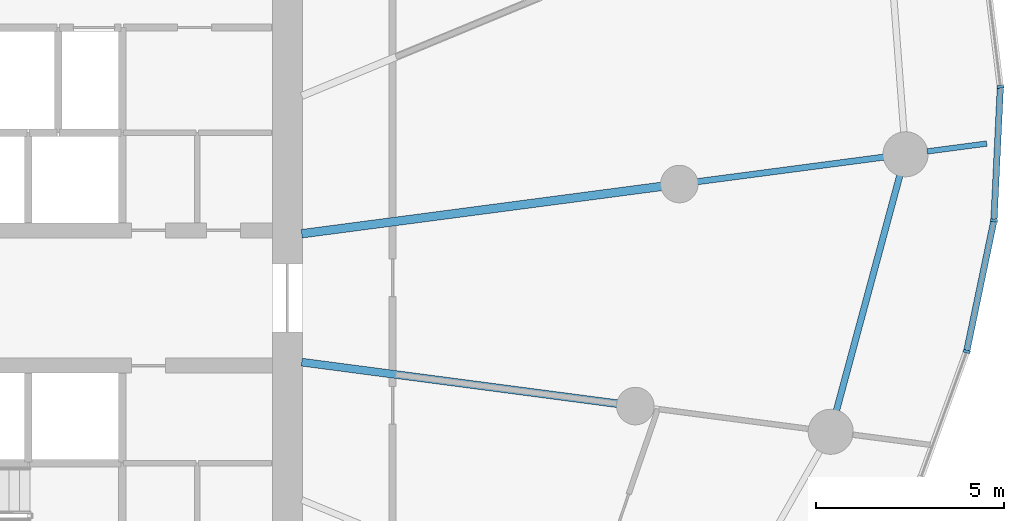
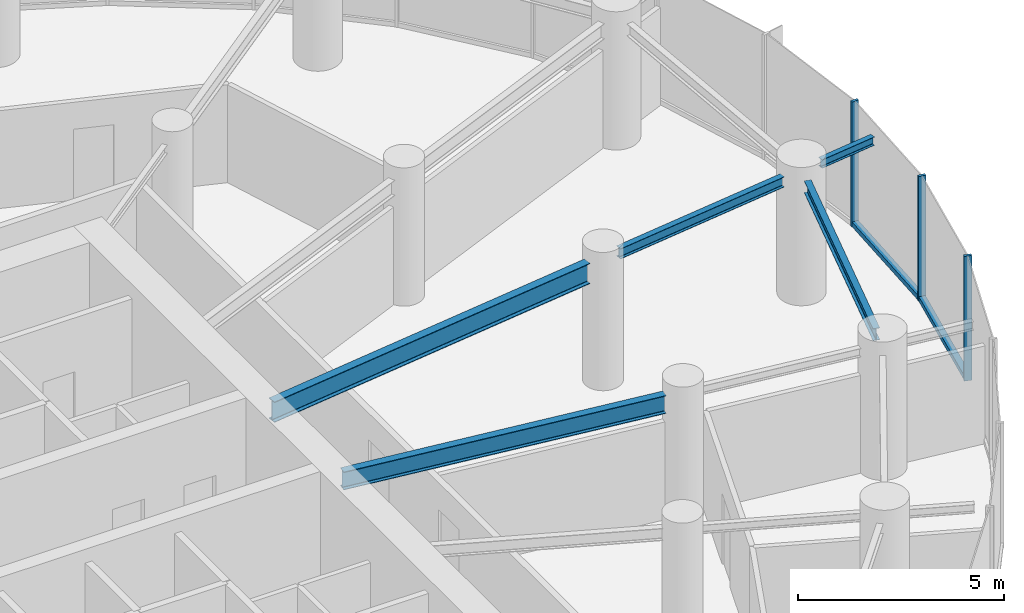
# One storey, part 5 of 17: 5 beams, 5 members, 2 elements without a shape of their own.
"""IFC4 building model written with IfcOpenShell, lengths in metres."""

from ifc_helpers import new_model, si_unit, direction, frame, origin, origin_2d, place, context, subcontext, project, spatial, rectangle, i_section, extrude, source, transform, mapped, material, layer, layer_set, material_profile, profile_set, type_object, element, aggregate, save


model = new_model("IFC4")

# Units and contexts
model_context = context("Model", 3, precision=1e-05, world=origin(), true_north=direction((0.0, 1.0)))
body_context = subcontext(model_context, "Body", "Model", "MODEL_VIEW")
ifc_project = project(units=[si_unit("LENGTHUNIT", "METRE"), si_unit("AREAUNIT", "SQUARE_METRE"), si_unit("VOLUMEUNIT", "CUBIC_METRE"), si_unit("PLANEANGLEUNIT", "RADIAN"), si_unit("MASSUNIT", "GRAM", prefix="KILO")], contexts=[model_context])

# Site, building, storey
site_placement = place(None, origin())
site = spatial("IfcSite", under=ifc_project, at=site_placement, CompositionType="ELEMENT")
building_placement = place(site_placement, origin())
building = spatial("IfcBuilding", under=site, at=building_placement, Name="Spindrift Exchange Tower", CompositionType="ELEMENT")
storey_placement = place(building_placement, frame((0.0, 0.0, 88.0)))
storey = spatial("IfcBuildingStorey", under=building, at=storey_placement, Name="L20", CompositionType="ELEMENT", Elevation=88.0)

# Beams
ifc_material_1 = material(Name="Steel Grade 300", Category="steel")
ifc_material_profile_1 = material_profile(ifc_material_1, i_section(OverallWidth=0.22802734375, OverallDepth=0.60693359375, WebThickness=0.01123046875, FlangeThickness=0.017333984375, FilletRadius=0.013916015625, at=origin_2d()), Name="610UB113")
ifc_profile_set_1 = profile_set([ifc_material_profile_1], Name="Steel Grade 300")
beam_type_1 = type_object("IfcBeamType", Name="Floor Beam 610UB113 Steel Grade 300", PredefinedType="BEAM", material=ifc_profile_set_1)
shared_shape_1 = source(origin(), body_context, "Body", "SweptSolid", [
    extrude(i_section(OverallWidth=0.22802734375, OverallDepth=0.60693359375, WebThickness=0.01123046875, FlangeThickness=0.017333984375, FilletRadius=0.013916015625, at=origin_2d()), origin(), (0.0, 0.0, 1.0), 9.660400390625),
])
beam_1_placement = place(storey_placement, frame((64.980224609375, 49.708984375, 3.396484375), z_axis=(0.99144767089, 0.130504850054, 0.0), x_axis=(-0.130504850054, 0.99144767089, 0.0)))
element("IfcBeam", 1, at=beam_1_placement, inside=storey, type_object=beam_type_1, Name="L20 radial beam R01A", PredefinedType="BEAM", context=body_context, shape_type="MappedRepresentation", body=[
    mapped(shared_shape_1, transform((0.0, 0.0, 0.0), scale=1.0)),
])
ifc_material_profile_2 = material_profile(ifc_material_1, i_section(OverallWidth=0.208984375, OverallDepth=0.532958984375, WebThickness=0.01025390625, FlangeThickness=0.015625, FilletRadius=0.013916015625, at=origin_2d()), Name="530UB92.4")
ifc_profile_set_2 = profile_set([ifc_material_profile_2], Name="Steel Grade 300")
beam_type_2 = type_object("IfcBeamType", Name="Floor Beam 530UB92.4 Steel Grade 300", PredefinedType="BEAM", material=ifc_profile_set_2)
shared_shape_2 = source(origin(), body_context, "Body", "SweptSolid", [
    extrude(i_section(OverallWidth=0.208984375, OverallDepth=0.532958984375, WebThickness=0.01025390625, FlangeThickness=0.015625, FilletRadius=0.013916015625, at=origin_2d()), origin(), (0.0, 0.0, 1.0), 8.4794921875),
])
beam_2_placement = place(storey_placement, frame((64.980224609375, 46.291015625, 3.43359375), z_axis=(0.991446551951, -0.13051335037, 0.0), x_axis=(0.13051335037, 0.991446551951, 0.0)))
element("IfcBeam", 2, at=beam_2_placement, inside=storey, type_object=beam_type_2, Name="L20 radial beam R24A", PredefinedType="BEAM", context=body_context, shape_type="MappedRepresentation", body=[
    mapped(shared_shape_2, transform((0.0, 0.0, 0.0), scale=1.0)),
])
ifc_material_profile_3 = material_profile(ifc_material_1, i_section(OverallWidth=0.1650390625, OverallDepth=0.303955078125, WebThickness=0.006103515625, FlangeThickness=0.01025390625, FilletRadius=0.011474609375, at=origin_2d()), Name="310UB40.4")
ifc_profile_set_3 = profile_set([ifc_material_profile_3], Name="Steel Grade 300")
beam_type_3 = type_object("IfcBeamType", Name="Floor Beam 310UB40.4 Steel Grade 300", PredefinedType="BEAM", material=ifc_profile_set_3)
shared_shape_3 = source(origin(), body_context, "Body", "SweptSolid", [
    extrude(i_section(OverallWidth=0.1650390625, OverallDepth=0.303955078125, WebThickness=0.006103515625, FlangeThickness=0.01025390625, FilletRadius=0.011474609375, at=origin_2d()), origin(), (0.0, 0.0, 1.0), 5.014404296875),
])
beam_3_placement = place(storey_placement, frame((75.509765625, 51.09521484375, 3.548095703125), z_axis=(0.99145015202, 0.13048599948, 0.0), x_axis=(-0.13048599948, 0.99145015202, 0.0)))
element("IfcBeam", 3, at=beam_3_placement, inside=storey, type_object=beam_type_3, Name="L20 radial beam R01B", PredefinedType="BEAM", context=body_context, shape_type="MappedRepresentation", body=[
    mapped(shared_shape_3, transform((0.0, 0.0, 0.0), scale=1.0)),
])
ifc_material_profile_4 = material_profile(ifc_material_1, i_section(OverallWidth=0.172119140625, OverallDepth=0.35888671875, WebThickness=0.008056640625, FlangeThickness=0.012939453125, FilletRadius=0.013916015625, at=origin_2d()), Name="360UB56.7")
ifc_profile_set_4 = profile_set([ifc_material_profile_4], Name="Steel Grade 300")
beam_type_4 = type_object("IfcBeamType", Name="Edge Beam 360UB56.7 Steel Grade 300", PredefinedType="SPANDREL", material=ifc_profile_set_4)
shared_shape_4 = source(origin(), body_context, "Body", "SweptSolid", [
    extrude(i_section(OverallWidth=0.172119140625, OverallDepth=0.35888671875, WebThickness=0.008056640625, FlangeThickness=0.012939453125, FilletRadius=0.013916015625, at=origin_2d()), origin(), (0.0, 0.0, 1.0), 6.4921875),
])
beam_4_placement = place(storey_placement, frame((79.215576171875, 44.996826171875, 3.5205078125), z_axis=(0.260262058381, 0.965538016324, 0.0), x_axis=(-0.965538016324, 0.260262058381, 0.0)))
element("IfcBeam", 4, at=beam_4_placement, inside=storey, type_object=beam_type_4, Name="L20 edge beam E24", PredefinedType="SPANDREL", context=body_context, shape_type="MappedRepresentation", body=[
    mapped(shared_shape_4, transform((0.0, 0.0, 0.0), scale=1.0)),
])
ifc_material_profile_5 = material_profile(ifc_material_1, i_section(OverallWidth=0.14599609375, OverallDepth=0.251953125, WebThickness=0.006103515625, FlangeThickness=0.008544921875, FilletRadius=0.011962890625, at=origin_2d()), Name="250UB31.4")
ifc_profile_set_5 = profile_set([ifc_material_profile_5], Name="Steel Grade 300")
beam_type_5 = type_object("IfcBeamType", Name="Cantilever Beam 250UB31.4 Steel Grade 300", PredefinedType="BEAM", material=ifc_profile_set_5)
shared_shape_5 = source(origin(), body_context, "Body", "SweptSolid", [
    extrude(i_section(OverallWidth=0.14599609375, OverallDepth=0.251953125, WebThickness=0.006103515625, FlangeThickness=0.008544921875, FilletRadius=0.011962890625, at=origin_2d()), origin(), (0.0, 0.0, 1.0), 1.6015625),
])
beam_5_placement = place(storey_placement, frame((81.63134765625, 51.90087890625, 3.573974609375), z_axis=(0.991430412505, 0.130635895375, 0.0), x_axis=(-0.130635895375, 0.991430412505, 0.0)))
element("IfcBeam", 5, at=beam_5_placement, inside=storey, type_object=beam_type_5, Name="L20 cantilever beam R01T", PredefinedType="BEAM", context=body_context, shape_type="MappedRepresentation", body=[
    mapped(shared_shape_5, transform((0.0, 0.0, 0.0), scale=1.0)),
])

# Curtain wall, member
ifc_material_2 = material(Name="Fritted laminated glass with bronze frame", Category="glass")
ifc_layer = layer(ifc_material_2, 0.18994140625)
ifc_layer_set = layer_set([ifc_layer], Name="ZONE 2 BRONZE FRITTED WALL")
curtain_wall_type = type_object("IfcCurtainWallType", Name="ZONE 2 BRONZE FRITTED WALL", PredefinedType="NOTDEFINED", material=ifc_layer_set)
curtain_wall_1_placement = place(storey_placement, origin())
curtain_wall_1 = element("IfcCurtainWall", 6, at=curtain_wall_1_placement, inside=storey, type_object=curtain_wall_type, Name="L20 Zone 2 Bronze Fritted Wall run 8", PredefinedType="NOTDEFINED")
ifc_material_3 = material(Name="Bronze anodised aluminium", Category="aluminium")
ifc_material_profile_6 = material_profile(ifc_material_3, rectangle(XDim=0.074951171875, YDim=0.18994140625, at=origin_2d()), Name="ZONE 2 BRONZE FRITTED WALL MULLION 75X190")
ifc_profile_set_6 = profile_set([ifc_material_profile_6], Name="Bronze anodised aluminium")
member_type_1 = type_object("IfcMemberType", Name="ZONE 2 BRONZE FRITTED WALL MULLION 75X190", PredefinedType="MULLION", material=ifc_profile_set_6)
shared_shape_6 = source(origin(), body_context, "Body", "SweptSolid", [
    extrude(rectangle(XDim=0.074951171875, YDim=0.18994140625, at=origin_2d()), origin(), (0.0, 0.0, 1.0), 3.699951171875),
])
member_1_placement = place(storey_placement, frame((82.68310546875, 46.572265625, 0.0), z_axis=(0.0, 0.0, 1.0), x_axis=(0.273165679452, 0.961967001289, 0.0)))
member_1 = element("IfcMember", 7, at=member_1_placement, type_object=member_type_1, Name="L20 mullion CW-2.48", PredefinedType="MULLION", context=body_context, shape_type="MappedRepresentation", body=[
    mapped(shared_shape_6, transform((0.0, 0.0, 0.0), scale=1.0)),
])

# Curtain wall, members
curtain_wall_2_placement = place(storey_placement, origin())
curtain_wall_2 = element("IfcCurtainWall", 8, at=curtain_wall_2_placement, inside=storey, type_object=curtain_wall_type, Name="L20 Zone 2 Bronze Fritted Wall run 9", PredefinedType="NOTDEFINED")
member_2_placement = place(storey_placement, frame((83.409912109375, 50.061767578125, 0.0), z_axis=(0.0, 0.0, 1.0), x_axis=(0.126405195172, 0.991978692631, 0.0)))
member_2 = element("IfcMember", 9, at=member_2_placement, type_object=member_type_1, Name="L20 mullion CW-2.49", PredefinedType="MULLION", context=body_context, shape_type="MappedRepresentation", body=[
    mapped(shared_shape_6, transform((0.0, 0.0, 0.0), scale=1.0)),
])
member_3_placement = place(storey_placement, frame((83.58154296875, 53.621337890625, 0.0), z_axis=(0.0, 0.0, 1.0), x_axis=(-0.037241378353, 0.999306299259, 0.0)))
member_3 = element("IfcMember", 10, at=member_3_placement, type_object=member_type_1, Name="L20 mullion CW-2.50", PredefinedType="MULLION", context=body_context, shape_type="MappedRepresentation", body=[
    mapped(shared_shape_6, transform((0.0, 0.0, 0.0), scale=1.0)),
])

# Member
ifc_material_profile_7 = material_profile(ifc_material_3, rectangle(XDim=0.169921875, YDim=0.139892578125, at=origin_2d()), Name="ZONE 2 BRONZE FRITTED WALL TRANSOM 170X140")
ifc_profile_set_7 = profile_set([ifc_material_profile_7], Name="Bronze anodised aluminium")
member_type_2 = type_object("IfcMemberType", Name="ZONE 2 BRONZE FRITTED WALL TRANSOM 170X140", PredefinedType="USERDEFINED", material=ifc_profile_set_7)
shared_shape_7 = source(origin(), body_context, "Body", "SweptSolid", [
    extrude(rectangle(XDim=0.169921875, YDim=0.139892578125, at=origin_2d()), origin(), (0.0, 0.0, 1.0), 3.4892578125),
])
member_4_placement = place(storey_placement, frame((82.69091796875, 46.60888671875, 0.070068359375), z_axis=(0.20388719597, 0.978994387788, 0.0), x_axis=(-0.978994387788, 0.20388719597, 0.0)))
member_4 = element("IfcMember", 11, at=member_4_placement, type_object=member_type_2, Name="L20 transom CW-2.48", ObjectType="TRANSOM", PredefinedType="USERDEFINED", context=body_context, shape_type="MappedRepresentation", body=[
    mapped(shared_shape_7, transform((0.0, 0.0, 0.0), scale=1.0)),
])

aggregate(curtain_wall_1, [member_1, member_4])

shared_shape_8 = source(origin(), body_context, "Body", "SweptSolid", [
    extrude(rectangle(XDim=0.169921875, YDim=0.139892578125, at=origin_2d()), origin(), (0.0, 0.0, 1.0), 3.48876953125),
])
member_5_placement = place(storey_placement, frame((83.411865234375, 50.09912109375, 0.070068359375), z_axis=(0.04807717856, 0.998843623848, 0.0), x_axis=(-0.998843623848, 0.04807717856, 0.0)))
member_5 = element("IfcMember", 12, at=member_5_placement, type_object=member_type_2, Name="L20 transom CW-2.49", ObjectType="TRANSOM", PredefinedType="USERDEFINED", context=body_context, shape_type="MappedRepresentation", body=[
    mapped(shared_shape_8, transform((0.0, 0.0, 0.0), scale=1.0)),
])

aggregate(curtain_wall_2, [member_2, member_5, member_3])

save(model, "model.ifc")
